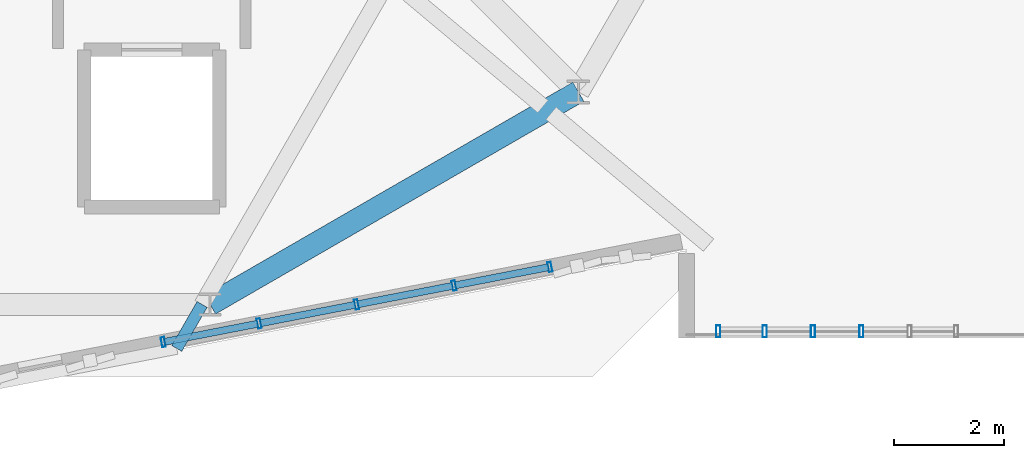
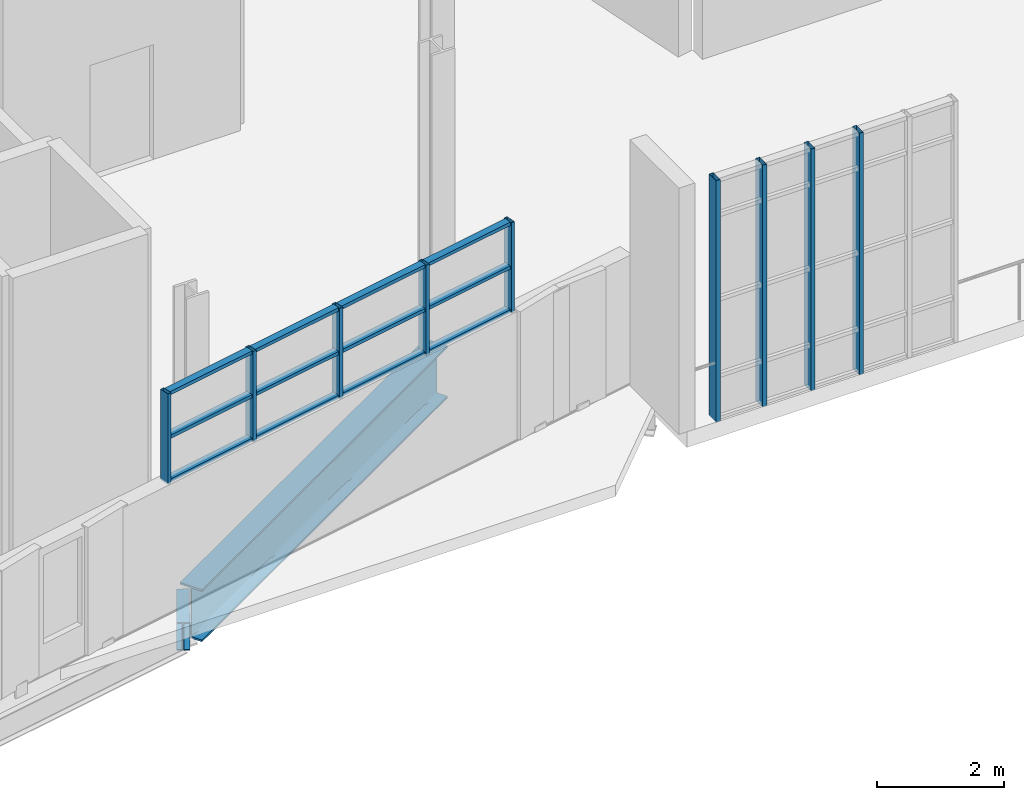
# One storey, part 25 of 142: 21 members, 2 beams, 2 elements without a shape of their own.
"""IFC4 building model written with IfcOpenShell, lengths in metres."""

from ifc_helpers import new_model, si_unit, direction, frame, origin, origin_2d, place, context, subcontext, project, spatial, hollow_rectangle, i_section, extrude, material, layer, layer_set, material_profile, profile_set, type_object, element, aggregate, save


model = new_model("IFC4")

# Units and contexts
model_context = context("Model", 3, precision=1e-05, world=origin(), true_north=direction((0.0, 1.0)))
body_context = subcontext(model_context, "Body", "Model", "MODEL_VIEW")
ifc_project = project(units=[si_unit("LENGTHUNIT", "METRE"), si_unit("AREAUNIT", "SQUARE_METRE"), si_unit("VOLUMEUNIT", "CUBIC_METRE"), si_unit("PLANEANGLEUNIT", "RADIAN"), si_unit("MASSUNIT", "GRAM", prefix="KILO"), si_unit("THERMODYNAMICTEMPERATUREUNIT", "KELVIN"), si_unit("POWERUNIT", "WATT")], contexts=[model_context])

# Site, building, storey
site_placement = place(None, origin())
site = spatial("IfcSite", under=ifc_project, at=site_placement, CompositionType="ELEMENT")
building_placement = place(site_placement, origin())
building = spatial("IfcBuilding", under=site, at=building_placement, Name="Zelmaris Science Centre", CompositionType="ELEMENT")
storey_placement = place(building_placement, frame((0.0, 0.0, 5.39990234375)))
storey = spatial("IfcBuildingStorey", under=building, at=storey_placement, Name="L01", CompositionType="ELEMENT", Elevation=5.39990234375)

# Curtain wall, members
ifc_material_1 = material(Name="Anodised architectural aluminium 6063-T6", Category="aluminium")
ifc_layer_1 = layer(ifc_material_1, 0.2099609375, Name="Anodised architectural aluminium 6063-T6")
ifc_layer_set_1 = layer_set([ifc_layer_1], Name="Anodised architectural aluminium 6063-T6")
curtain_wall_type_1 = type_object("IfcCurtainWallType", Name="Curtain Wall CW-03", PredefinedType="USERDEFINED", material=ifc_layer_set_1)
curtain_wall_1_placement = place(storey_placement, origin())
curtain_wall_1 = element("IfcCurtainWall", 1, at=curtain_wall_1_placement, inside=storey, type_object=curtain_wall_type_1, Name="L01 Clerestory curtain wall 175", ObjectType="GLAZED CURTAIN WALL", PredefinedType="USERDEFINED")
ifc_material_profile_1 = material_profile(ifc_material_1, hollow_rectangle(XDim=0.06494140625, YDim=0.179931640625, WallThickness=0.00390625, at=origin_2d()), Name="ALU-MUL-65X180")
ifc_profile_set_1 = profile_set([ifc_material_profile_1], Name="Anodised architectural aluminium 6063-T6")
member_type_1 = type_object("IfcMemberType", Name="ALU-MUL-65X180", PredefinedType="MULLION", material=ifc_profile_set_1)
member_1_placement = place(storey_placement, frame((91.02001953125, 22.28759765625, 2.420166015625), z_axis=(0.0, 0.0, 1.0), x_axis=(-0.981630513543, -0.190791862721, 0.0)))
member_1 = element("IfcMember", 2, at=member_1_placement, type_object=member_type_1, Name="CW-03 mullion 1", PredefinedType="MULLION", context=body_context, shape_type="SweptSolid", body=[
    extrude(hollow_rectangle(XDim=0.06494140625, YDim=0.179931640625, WallThickness=0.00390625, at=origin_2d()), origin(), (0.0, 0.0, 1.0), 1.73388671875),
])
member_2_placement = place(storey_placement, frame((89.281005859375, 21.949462890625, 2.420166015625), z_axis=(0.0, 0.0, 1.0), x_axis=(-0.981630513543, -0.190791862721, 0.0)))
member_2 = element("IfcMember", 3, at=member_2_placement, type_object=member_type_1, Name="CW-03 mullion 2", PredefinedType="MULLION", context=body_context, shape_type="SweptSolid", body=[
    extrude(hollow_rectangle(XDim=0.06494140625, YDim=0.179931640625, WallThickness=0.00390625, at=origin_2d()), origin(), (0.0, 0.0, 1.0), 1.73388671875),
])
member_3_placement = place(storey_placement, frame((87.513916015625, 21.606201171875, 2.420166015625), z_axis=(0.0, 0.0, 1.0), x_axis=(-0.981630513543, -0.190791862721, 0.0)))
member_3 = element("IfcMember", 4, at=member_3_placement, type_object=member_type_1, Name="CW-03 mullion 3", PredefinedType="MULLION", context=body_context, shape_type="SweptSolid", body=[
    extrude(hollow_rectangle(XDim=0.06494140625, YDim=0.179931640625, WallThickness=0.00390625, at=origin_2d()), origin(), (0.0, 0.0, 1.0), 1.73388671875),
])
member_4_placement = place(storey_placement, frame((85.7470703125, 21.2626953125, 2.420166015625), z_axis=(0.0, 0.0, 1.0), x_axis=(-0.981630513543, -0.190791862721, 0.0)))
member_4 = element("IfcMember", 5, at=member_4_placement, type_object=member_type_1, Name="CW-03 mullion 4", PredefinedType="MULLION", context=body_context, shape_type="SweptSolid", body=[
    extrude(hollow_rectangle(XDim=0.06494140625, YDim=0.179931640625, WallThickness=0.00390625, at=origin_2d()), origin(), (0.0, 0.0, 1.0), 1.73388671875),
])
member_5_placement = place(storey_placement, frame((84.008056640625, 20.9248046875, 2.420166015625), z_axis=(0.0, 0.0, 1.0), x_axis=(-0.981630513543, -0.190791862721, 0.0)))
member_5 = element("IfcMember", 6, at=member_5_placement, type_object=member_type_1, Name="CW-03 mullion 5", PredefinedType="MULLION", context=body_context, shape_type="SweptSolid", body=[
    extrude(hollow_rectangle(XDim=0.06494140625, YDim=0.179931640625, WallThickness=0.00390625, at=origin_2d()), origin(), (0.0, 0.0, 1.0), 1.73388671875),
])

ifc_layer_2 = layer(ifc_material_1, 0.199951171875, Name="Anodised architectural aluminium 6063-T6")
ifc_layer_set_2 = layer_set([ifc_layer_2], Name="Anodised architectural aluminium 6063-T6")
curtain_wall_type_2 = type_object("IfcCurtainWallType", Name="Curtain Wall CW-02", PredefinedType="USERDEFINED", material=ifc_layer_set_2)
curtain_wall_2_placement = place(storey_placement, origin())
curtain_wall_2 = element("IfcCurtainWall", 7, at=curtain_wall_2_placement, inside=storey, type_object=curtain_wall_type_2, Name="L01 Unitised curtain wall 174", ObjectType="GLAZED CURTAIN WALL", PredefinedType="USERDEFINED")
ifc_material_profile_2 = material_profile(ifc_material_1, hollow_rectangle(XDim=0.074951171875, YDim=0.219970703125, WallThickness=0.0048828125, at=origin_2d()), Name="ALU-MUL-75X220")
ifc_profile_set_2 = profile_set([ifc_material_profile_2], Name="Anodised architectural aluminium 6063-T6")
member_type_2 = type_object("IfcMemberType", Name="ALU-MUL-75X220", PredefinedType="MULLION", material=ifc_profile_set_2)
member_6_placement = place(storey_placement, frame((96.668701171875, 21.119140625, -0.014892578125), z_axis=(0.0, 0.0, 1.0), x_axis=(-0.999999948434, 0.000321140577, 0.0)))
member_6 = element("IfcMember", 8, at=member_6_placement, type_object=member_type_2, Name="CW-02 mullion 3", PredefinedType="MULLION", context=body_context, shape_type="SweptSolid", body=[
    extrude(hollow_rectangle(XDim=0.074951171875, YDim=0.219970703125, WallThickness=0.0048828125, at=origin_2d()), origin(), (0.0, 0.0, 1.0), 4.635009765625),
])
member_7_placement = place(storey_placement, frame((95.79248046875, 21.119384765625, -0.014892578125), z_axis=(0.0, 0.0, 1.0), x_axis=(-0.999999948434, 0.000321140577, 0.0)))
member_7 = element("IfcMember", 9, at=member_7_placement, type_object=member_type_2, Name="CW-02 mullion 4", PredefinedType="MULLION", context=body_context, shape_type="SweptSolid", body=[
    extrude(hollow_rectangle(XDim=0.074951171875, YDim=0.219970703125, WallThickness=0.0048828125, at=origin_2d()), origin(), (0.0, 0.0, 1.0), 4.635009765625),
])
member_8_placement = place(storey_placement, frame((94.916259765625, 21.11962890625, -0.014892578125), z_axis=(0.0, 0.0, 1.0), x_axis=(-0.999999948434, 0.000321140577, 0.0)))
member_8 = element("IfcMember", 10, at=member_8_placement, type_object=member_type_2, Name="CW-02 mullion 5", PredefinedType="MULLION", context=body_context, shape_type="SweptSolid", body=[
    extrude(hollow_rectangle(XDim=0.074951171875, YDim=0.219970703125, WallThickness=0.0048828125, at=origin_2d()), origin(), (0.0, 0.0, 1.0), 4.635009765625),
])
member_9_placement = place(storey_placement, frame((94.073486328125, 21.119873046875, -0.014892578125), z_axis=(0.0, 0.0, 1.0), x_axis=(-0.999999948434, 0.000321140577, 0.0)))
member_9 = element("IfcMember", 11, at=member_9_placement, type_object=member_type_2, Name="CW-02 mullion 6", PredefinedType="MULLION", context=body_context, shape_type="SweptSolid", body=[
    extrude(hollow_rectangle(XDim=0.074951171875, YDim=0.219970703125, WallThickness=0.0048828125, at=origin_2d()), origin(), (0.0, 0.0, 1.0), 4.635009765625),
])
aggregate(curtain_wall_2, [member_6, member_7, member_8, member_9])

# Member
ifc_material_profile_3 = material_profile(ifc_material_1, hollow_rectangle(XDim=0.06494140625, YDim=0.1298828125, WallThickness=0.00341796875, at=origin_2d()), Name="ALU-TRN-65X130")
ifc_profile_set_3 = profile_set([ifc_material_profile_3], Name="Anodised architectural aluminium 6063-T6")
member_type_3 = type_object("IfcMemberType", Name="ALU-TRN-65X130", PredefinedType="USERDEFINED", material=ifc_profile_set_3)
member_10_placement = place(storey_placement, frame((90.991943359375, 22.2822265625, 2.448486328125), z_axis=(-0.981628726301, -0.190801057912, 0.0), x_axis=(0.0, 0.0, 1.0)))
member_10 = element("IfcMember", 12, at=member_10_placement, type_object=member_type_3, Name="CW-03 transom 1.1", ObjectType="TRANSOM", PredefinedType="USERDEFINED", context=body_context, shape_type="SweptSolid", body=[
    extrude(hollow_rectangle(XDim=0.06494140625, YDim=0.1298828125, WallThickness=0.00341796875, at=origin_2d()), origin(), (0.0, 0.0, 1.0), 1.714599609375),
])

member_11_placement = place(storey_placement, frame((90.991943359375, 22.2822265625, 3.287109375), z_axis=(-0.981628726301, -0.190801057912, 0.0), x_axis=(0.0, 0.0, 1.0)))
member_11 = element("IfcMember", 13, at=member_11_placement, type_object=member_type_3, Name="CW-03 transom 1.2", ObjectType="TRANSOM", PredefinedType="USERDEFINED", context=body_context, shape_type="SweptSolid", body=[
    extrude(hollow_rectangle(XDim=0.06494140625, YDim=0.1298828125, WallThickness=0.00341796875, at=origin_2d()), origin(), (0.0, 0.0, 1.0), 1.714599609375),
])

member_12_placement = place(storey_placement, frame((90.991943359375, 22.2822265625, 4.12548828125), z_axis=(-0.981628726301, -0.190801057912, 0.0), x_axis=(0.0, 0.0, 1.0)))
member_12 = element("IfcMember", 14, at=member_12_placement, type_object=member_type_3, Name="CW-03 transom 1.3", ObjectType="TRANSOM", PredefinedType="USERDEFINED", context=body_context, shape_type="SweptSolid", body=[
    extrude(hollow_rectangle(XDim=0.06494140625, YDim=0.1298828125, WallThickness=0.00341796875, at=origin_2d()), origin(), (0.0, 0.0, 1.0), 1.714599609375),
])

member_13_placement = place(storey_placement, frame((89.2529296875, 21.944091796875, 2.448486328125), z_axis=(-0.981632881675, -0.190779678202, 0.0), x_axis=(0.0, 0.0, 1.0)))
member_13 = element("IfcMember", 15, at=member_13_placement, type_object=member_type_3, Name="CW-03 transom 2.1", ObjectType="TRANSOM", PredefinedType="USERDEFINED", context=body_context, shape_type="SweptSolid", body=[
    extrude(hollow_rectangle(XDim=0.06494140625, YDim=0.1298828125, WallThickness=0.00341796875, at=origin_2d()), origin(), (0.0, 0.0, 1.0), 1.742919921875),
])

member_14_placement = place(storey_placement, frame((89.2529296875, 21.944091796875, 3.287109375), z_axis=(-0.981632881675, -0.190779678202, 0.0), x_axis=(0.0, 0.0, 1.0)))
member_14 = element("IfcMember", 16, at=member_14_placement, type_object=member_type_3, Name="CW-03 transom 2.2", ObjectType="TRANSOM", PredefinedType="USERDEFINED", context=body_context, shape_type="SweptSolid", body=[
    extrude(hollow_rectangle(XDim=0.06494140625, YDim=0.1298828125, WallThickness=0.00341796875, at=origin_2d()), origin(), (0.0, 0.0, 1.0), 1.742919921875),
])

member_15_placement = place(storey_placement, frame((89.2529296875, 21.944091796875, 4.12548828125), z_axis=(-0.981632881675, -0.190779678202, 0.0), x_axis=(0.0, 0.0, 1.0)))
member_15 = element("IfcMember", 17, at=member_15_placement, type_object=member_type_3, Name="CW-03 transom 2.3", ObjectType="TRANSOM", PredefinedType="USERDEFINED", context=body_context, shape_type="SweptSolid", body=[
    extrude(hollow_rectangle(XDim=0.06494140625, YDim=0.1298828125, WallThickness=0.00341796875, at=origin_2d()), origin(), (0.0, 0.0, 1.0), 1.742919921875),
])

member_16_placement = place(storey_placement, frame((87.486083984375, 21.600830078125, 2.448486328125), z_axis=(-0.981606640806, -0.190914647748, 0.0), x_axis=(0.0, 0.0, 1.0)))
member_16 = element("IfcMember", 18, at=member_16_placement, type_object=member_type_3, Name="CW-03 transom 3.1", ObjectType="TRANSOM", PredefinedType="USERDEFINED", context=body_context, shape_type="SweptSolid", body=[
    extrude(hollow_rectangle(XDim=0.06494140625, YDim=0.1298828125, WallThickness=0.00341796875, at=origin_2d()), origin(), (0.0, 0.0, 1.0), 1.742919921875),
])

member_17_placement = place(storey_placement, frame((87.486083984375, 21.600830078125, 3.287109375), z_axis=(-0.981606640806, -0.190914647748, 0.0), x_axis=(0.0, 0.0, 1.0)))
member_17 = element("IfcMember", 19, at=member_17_placement, type_object=member_type_3, Name="CW-03 transom 3.2", ObjectType="TRANSOM", PredefinedType="USERDEFINED", context=body_context, shape_type="SweptSolid", body=[
    extrude(hollow_rectangle(XDim=0.06494140625, YDim=0.1298828125, WallThickness=0.00341796875, at=origin_2d()), origin(), (0.0, 0.0, 1.0), 1.742919921875),
])

member_18_placement = place(storey_placement, frame((87.486083984375, 21.600830078125, 4.12548828125), z_axis=(-0.981606640806, -0.190914647748, 0.0), x_axis=(0.0, 0.0, 1.0)))
member_18 = element("IfcMember", 20, at=member_18_placement, type_object=member_type_3, Name="CW-03 transom 3.3", ObjectType="TRANSOM", PredefinedType="USERDEFINED", context=body_context, shape_type="SweptSolid", body=[
    extrude(hollow_rectangle(XDim=0.06494140625, YDim=0.1298828125, WallThickness=0.00341796875, at=origin_2d()), origin(), (0.0, 0.0, 1.0), 1.742919921875),
])

member_19_placement = place(storey_placement, frame((85.718994140625, 21.25732421875, 2.448486328125), z_axis=(-0.981623541542, -0.190827730403, 0.0), x_axis=(0.0, 0.0, 1.0)))
member_19 = element("IfcMember", 21, at=member_19_placement, type_object=member_type_3, Name="CW-03 transom 4.1", ObjectType="TRANSOM", PredefinedType="USERDEFINED", context=body_context, shape_type="SweptSolid", body=[
    extrude(hollow_rectangle(XDim=0.06494140625, YDim=0.1298828125, WallThickness=0.00341796875, at=origin_2d()), origin(), (0.0, 0.0, 1.0), 1.71435546875),
])

member_20_placement = place(storey_placement, frame((85.718994140625, 21.25732421875, 3.287109375), z_axis=(-0.981623541542, -0.190827730403, 0.0), x_axis=(0.0, 0.0, 1.0)))
member_20 = element("IfcMember", 22, at=member_20_placement, type_object=member_type_3, Name="CW-03 transom 4.2", ObjectType="TRANSOM", PredefinedType="USERDEFINED", context=body_context, shape_type="SweptSolid", body=[
    extrude(hollow_rectangle(XDim=0.06494140625, YDim=0.1298828125, WallThickness=0.00341796875, at=origin_2d()), origin(), (0.0, 0.0, 1.0), 1.71435546875),
])

member_21_placement = place(storey_placement, frame((85.718994140625, 21.25732421875, 4.12548828125), z_axis=(-0.981623541542, -0.190827730403, 0.0), x_axis=(0.0, 0.0, 1.0)))
member_21 = element("IfcMember", 23, at=member_21_placement, type_object=member_type_3, Name="CW-03 transom 4.3", ObjectType="TRANSOM", PredefinedType="USERDEFINED", context=body_context, shape_type="SweptSolid", body=[
    extrude(hollow_rectangle(XDim=0.06494140625, YDim=0.1298828125, WallThickness=0.00341796875, at=origin_2d()), origin(), (0.0, 0.0, 1.0), 1.71435546875),
])

aggregate(curtain_wall_1, [member_1, member_2, member_3, member_4, member_5, member_10, member_11, member_12, member_13, member_14, member_15, member_16, member_17, member_18, member_19, member_20, member_21])

# Beams
ifc_material_2 = material(Name="Steel ASTM A992 Grade 50", Category="steel")
ifc_material_profile_4 = material_profile(ifc_material_2, i_section(OverallWidth=0.2109375, OverallDepth=0.5380859375, WebThickness=0.01171875, FlangeThickness=0.018798828125, FilletRadius=0.013916015625, at=origin_2d()), Name="W21X73")
ifc_profile_set_4 = profile_set([ifc_material_profile_4], Name="Steel ASTM A992 Grade 50")
beam_type_1 = type_object("IfcBeamType", Name="Beam G-19 W21X73", PredefinedType="BEAM", material=ifc_profile_set_4)
beam_1_placement = place(storey_placement, frame((84.712158203125, 21.607666015625, -0.56884765625), z_axis=(-0.498819667053, -0.866705797696, 0.0), x_axis=(0.866705797696, -0.498819667053, 0.0)))
element("IfcBeam", 24, at=beam_1_placement, inside=storey, type_object=beam_type_1, Name="L01 Radial overhang girder 2", PredefinedType="BEAM", context=body_context, shape_type="SweptSolid", body=[
    extrude(i_section(OverallWidth=0.2109375, OverallDepth=0.5380859375, WebThickness=0.01171875, FlangeThickness=0.018798828125, FilletRadius=0.013916015625, at=origin_2d()), origin(), (0.0, 0.0, 1.0), 0.921142578125),
])
ifc_material_profile_5 = material_profile(ifc_material_2, i_section(OverallWidth=0.40087890625, OverallDepth=1.0009765625, WebThickness=0.01904296875, FlangeThickness=0.0361328125, FilletRadius=0.02490234375, at=origin_2d()), Name="W40X249")
ifc_profile_set_5 = profile_set([ifc_material_profile_5], Name="Steel ASTM A992 Grade 50")
beam_type_2 = type_object("IfcBeamType", Name="Beam G-22 W40X249", PredefinedType="BEAM", material=ifc_profile_set_5)
beam_2_placement = place(storey_placement, frame((84.8564453125, 21.607666015625, -0.80029296875), z_axis=(0.866021648359, 0.500006504531, 0.0), x_axis=(-0.500006504531, 0.866021648359, 0.0)))
element("IfcBeam", 25, at=beam_2_placement, inside=storey, type_object=beam_type_2, Name="L01 Exhibition inner ring girder 10", PredefinedType="BEAM", context=body_context, shape_type="SweptSolid", body=[
    extrude(i_section(OverallWidth=0.40087890625, OverallDepth=1.0009765625, WebThickness=0.01904296875, FlangeThickness=0.0361328125, FilletRadius=0.02490234375, at=origin_2d()), origin(), (0.0, 0.0, 1.0), 7.712890625),
])

save(model, "model.ifc")
